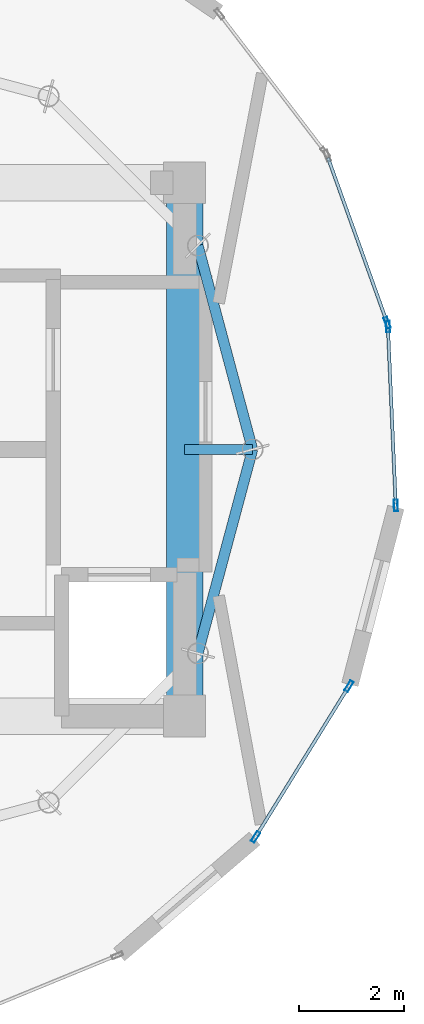
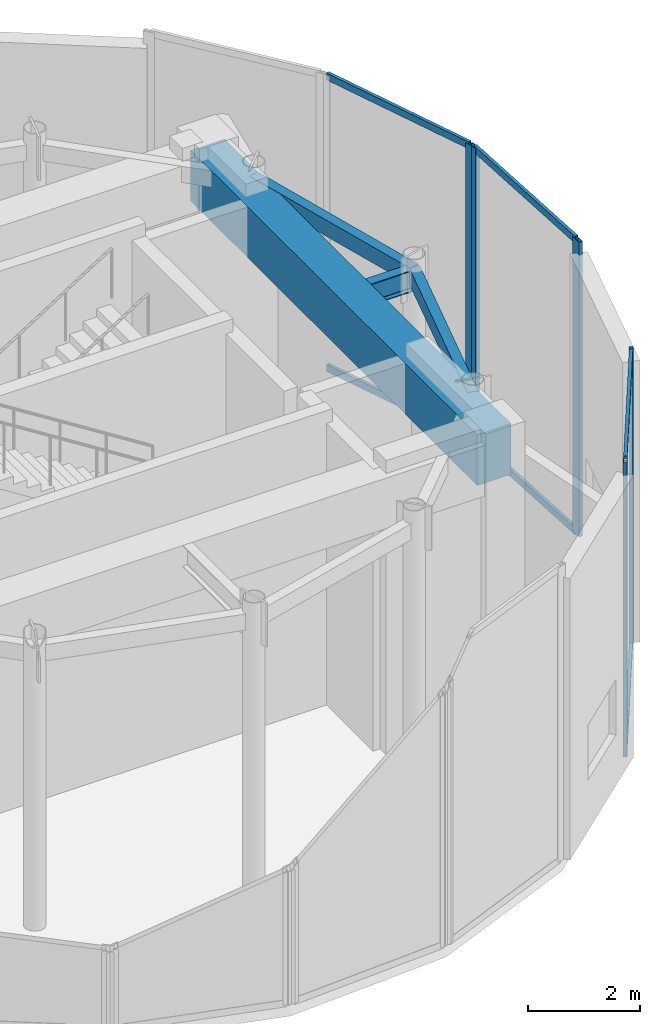
# One storey, part 4 of 8: 11 members, 4 beams, 3 elements without a shape of their own.
"""IFC4 building model written with IfcOpenShell, lengths in metres."""

from ifc_helpers import new_model, si_unit, direction, frame, origin, origin_2d, place, context, subcontext, project, spatial, rectangle, hollow_rectangle, i_section, extrude, source, transform, mapped, material, layer, layer_set, material_profile, profile_set, type_object, element, aggregate, save


model = new_model("IFC4")

# Units and contexts
model_context = context("Model", 3, precision=1e-05, world=origin(), true_north=direction((0.0, 1.0)))
body_context = subcontext(model_context, "Body", "Model", "MODEL_VIEW")
ifc_project = project(units=[si_unit("LENGTHUNIT", "METRE"), si_unit("AREAUNIT", "SQUARE_METRE"), si_unit("VOLUMEUNIT", "CUBIC_METRE"), si_unit("PLANEANGLEUNIT", "RADIAN"), si_unit("MASSUNIT", "GRAM", prefix="KILO")], contexts=[model_context])

# Site, building, storey
site_placement = place(None, origin())
site = spatial("IfcSite", under=ifc_project, at=site_placement, CompositionType="ELEMENT")
building_placement = place(site_placement, origin())
building = spatial("IfcBuilding", under=site, at=building_placement, Name="Solvirekh Grand Hotel", CompositionType="ELEMENT")
storey_placement = place(building_placement, frame((0.0, 0.0, 321.0)))
storey = spatial("IfcBuildingStorey", under=building, at=storey_placement, Name="L81", CompositionType="ELEMENT", Elevation=321.0)

# Beams
ifc_material_1 = material(Name="Concrete C60/75", Category="concrete")
ifc_material_profile_1 = material_profile(ifc_material_1, rectangle(XDim=0.699951171875, YDim=1.10009765625, at=origin_2d()), Name="RC BEAM 700X1100")
ifc_profile_set_1 = profile_set([ifc_material_profile_1], Name="Concrete C60/75")
beam_type_1 = type_object("IfcBeamType", Name="Beam_Core_RC1100", PredefinedType="BEAM", material=ifc_profile_set_1)
beam_1_placement = place(storey_placement, frame((6.5, -5.10009765625, 5.570068359375), z_axis=(0.0, 1.0, 0.0), x_axis=(-1.0, 0.0, 0.0)))
element("IfcBeam", 1, at=beam_1_placement, inside=storey, type_object=beam_type_1, Name="L81 core coupling ring beam 2", PredefinedType="BEAM", context=body_context, shape_type="SweptSolid", body=[
    extrude(rectangle(XDim=0.699951171875, YDim=1.10009765625, at=origin_2d()), origin(), (0.0, 0.0, 1.0), 10.2001953125),
])
ifc_material_2 = material(Name="Steel S355", Category="steel")
ifc_material_profile_2 = material_profile(ifc_material_2, i_section(OverallWidth=0.194091796875, OverallDepth=0.468994140625, WebThickness=0.010986328125, FlangeThickness=0.01904296875, FilletRadius=0.012939453125, at=origin_2d()), Name="W460X106")
ifc_profile_set_2 = profile_set([ifc_material_profile_2], Name="Steel S355")
beam_type_2 = type_object("IfcBeamType", Name="Beam_Radial_W460H", PredefinedType="BEAM", material=ifc_profile_set_2)
beam_2_placement = place(storey_placement, frame((6.5, 0.0, 5.885009765625), z_axis=(1.0, 0.0, 0.0), x_axis=(0.0, 1.0, 0.0)))
element("IfcBeam", 2, at=beam_2_placement, inside=storey, type_object=beam_type_2, Name="L81 radial floor beam R01", PredefinedType="BEAM", context=body_context, shape_type="SweptSolid", body=[
    extrude(i_section(OverallWidth=0.194091796875, OverallDepth=0.468994140625, WebThickness=0.010986328125, FlangeThickness=0.01904296875, FilletRadius=0.012939453125, at=origin_2d()), origin(), (0.0, 0.0, 1.0), 1.300048828125),
])
ifc_material_profile_3 = material_profile(ifc_material_2, hollow_rectangle(XDim=0.199951171875, YDim=0.35009765625, WallThickness=0.013916015625, at=origin_2d()), Name="RHS 350X200X14")
ifc_profile_set_3 = profile_set([ifc_material_profile_3], Name="Steel S355")
beam_type_3 = type_object("IfcBeamType", Name="Spandrel_Crown_RHS350", PredefinedType="SPANDREL", material=ifc_profile_set_3)
for number, where, z_axis, x_axis, name in (
    (3, (7.800048828125, 0.0, 5.945068359375), (-0.258863027773, 0.965914040095, 0.0), (-0.965914040095, -0.258863027773, 0.0), "L81 perimeter spandrel beam 1"),
    (4, (6.7548828125, -3.89990234375, 5.945068359375), (0.258863027773, 0.965914040095, 0.0), (-0.965914040095, 0.258863027773, 0.0), "L81 perimeter spandrel beam 12"),
):
    element("IfcBeam", number, at=place(storey_placement, frame(where, z_axis=z_axis, x_axis=x_axis)), inside=storey, type_object=beam_type_3, Name=name, PredefinedType="SPANDREL", context=body_context, shape_type="SweptSolid", body=[
        extrude(hollow_rectangle(XDim=0.199951171875, YDim=0.35009765625, WallThickness=0.013916015625, at=origin_2d()), origin(), (0.0, 0.0, 1.0), 4.03759765625),
    ])

# Curtain wall, members
ifc_material_3 = material(Name="Anodized Bronze Aluminium 6063-T6", Category="aluminium")
ifc_layer = layer(ifc_material_3, 0.219970703125)
ifc_layer_set = layer_set([ifc_layer], Name="Anodized Bronze Aluminium 6063-T6")
curtain_wall_type = type_object("IfcCurtainWallType", Name="CW_Sys6_CrownFacetedPointCW", PredefinedType="NOTDEFINED", material=ifc_layer_set)
curtain_wall_1_placement = place(storey_placement, origin())
curtain_wall_1 = element("IfcCurtainWall", 5, at=curtain_wall_1_placement, inside=storey, type_object=curtain_wall_type, Name="L81 unitised bronze-glass curtain wall CW-L81-C04", PredefinedType="NOTDEFINED")
ifc_material_profile_4 = material_profile(ifc_material_3, hollow_rectangle(XDim=0.074951171875, YDim=0.219970703125, WallThickness=0.006103515625, at=origin_2d()), Name="ALU RHS 220X75X6")
ifc_profile_set_4 = profile_set([ifc_material_profile_4], Name="Anodized Bronze Aluminium 6063-T6")
member_type_1 = type_object("IfcMemberType", Name="CWMullion_Sys6", PredefinedType="MULLION", material=ifc_profile_set_4)
shared_shape_1 = source(origin(), body_context, "Body", "SweptSolid", [
    extrude(hollow_rectangle(XDim=0.074951171875, YDim=0.219970703125, WallThickness=0.006103515625, at=origin_2d()), origin(), (0.0, 0.0, 1.0), 6.39990234375),
])
member_1_placement = place(storey_placement, frame((7.859619140625, -7.412109375, 0.0), z_axis=(0.0, 0.0, 1.0), x_axis=(-0.850388074808, 0.52615598659, 0.0)))
member_1 = element("IfcMember", 6, at=member_1_placement, type_object=member_type_1, Name="U06 mullion 1", PredefinedType="MULLION", context=body_context, shape_type="MappedRepresentation", body=[
    mapped(shared_shape_1, transform((0.0, 0.0, 0.0), x_axis=(1.0, 0.0, 0.0), y_axis=(0.0, 1.0, 0.0), z_axis=(0.0, 0.0, 1.0), scale=1.0)),
])
member_2_placement = place(storey_placement, frame((9.644287109375, -4.52783203125, 0.0), z_axis=(0.0, 0.0, 1.0), x_axis=(-0.850388074808, 0.52615598659, 0.0)))
member_2 = element("IfcMember", 7, at=member_2_placement, type_object=member_type_1, Name="U06 mullion 2", PredefinedType="MULLION", context=body_context, shape_type="MappedRepresentation", body=[
    mapped(shared_shape_1, transform((0.0, 0.0, 0.0), x_axis=(1.0, 0.0, 0.0), y_axis=(0.0, 1.0, 0.0), z_axis=(0.0, 0.0, 1.0), scale=1.0)),
])

curtain_wall_2_placement = place(storey_placement, origin())
curtain_wall_2 = element("IfcCurtainWall", 8, at=curtain_wall_2_placement, inside=storey, type_object=curtain_wall_type, Name="L81 unitised bronze-glass curtain wall CW-L81-C06", PredefinedType="NOTDEFINED")
member_3_placement = place(storey_placement, frame((10.540283203125, -1.070556640625, 0.0), z_axis=(0.0, 0.0, 1.0), x_axis=(-0.99903119333, -0.044007666982, 0.0)))
member_3 = element("IfcMember", 9, at=member_3_placement, type_object=member_type_1, Name="U06 mullion 1", PredefinedType="MULLION", context=body_context, shape_type="MappedRepresentation", body=[
    mapped(shared_shape_1, transform((0.0, 0.0, 0.0), x_axis=(1.0, 0.0, 0.0), y_axis=(0.0, 1.0, 0.0), z_axis=(0.0, 0.0, 1.0), scale=1.0)),
])
member_4_placement = place(storey_placement, frame((10.3896484375, 2.3505859375, 0.0), z_axis=(0.0, 0.0, 1.0), x_axis=(-0.99903119333, -0.044007666982, 0.0)))
member_4 = element("IfcMember", 10, at=member_4_placement, type_object=member_type_1, Name="U06 mullion 2", PredefinedType="MULLION", context=body_context, shape_type="MappedRepresentation", body=[
    mapped(shared_shape_1, transform((0.0, 0.0, 0.0), x_axis=(1.0, 0.0, 0.0), y_axis=(0.0, 1.0, 0.0), z_axis=(0.0, 0.0, 1.0), scale=1.0)),
])

# Curtain wall, member
curtain_wall_3_placement = place(storey_placement, origin())
curtain_wall_3 = element("IfcCurtainWall", 11, at=curtain_wall_3_placement, inside=storey, type_object=curtain_wall_type, Name="L81 unitised bronze-glass curtain wall CW-L81-C07", PredefinedType="NOTDEFINED")
member_5_placement = place(storey_placement, frame((10.375244140625, 2.42333984375, 0.0), z_axis=(0.0, 0.0, 1.0), x_axis=(-0.941225242691, -0.337779576826, 0.0)))
member_5 = element("IfcMember", 12, at=member_5_placement, type_object=member_type_1, Name="U06 mullion 1", PredefinedType="MULLION", context=body_context, shape_type="MappedRepresentation", body=[
    mapped(shared_shape_1, transform((0.0, 0.0, 0.0), x_axis=(1.0, 0.0, 0.0), y_axis=(0.0, 1.0, 0.0), z_axis=(0.0, 0.0, 1.0), scale=1.0)),
])

# Member
ifc_material_profile_5 = material_profile(ifc_material_3, hollow_rectangle(XDim=0.06494140625, YDim=0.14990234375, WallThickness=0.0048828125, at=origin_2d()), Name="ALU RHS 150X65X5")
ifc_profile_set_5 = profile_set([ifc_material_profile_5], Name="Anodized Bronze Aluminium 6063-T6")
member_type_2 = type_object("IfcMemberType", Name="CWTransom_Sys6", PredefinedType="USERDEFINED", material=ifc_profile_set_5)
shared_shape_2 = source(origin(), body_context, "Body", "SweptSolid", [
    extrude(hollow_rectangle(XDim=0.06494140625, YDim=0.14990234375, WallThickness=0.0048828125, at=origin_2d()), origin(), (0.0, 0.0, 1.0), 3.316650390625),
])
member_6_placement = place(storey_placement, frame((7.87939453125, -7.380126953125, 0.032470703125), z_axis=(0.526182278108, 0.850371807038, 0.0), x_axis=(-0.850371807038, 0.526182278108, 0.0)))
member_6 = element("IfcMember", 13, at=member_6_placement, type_object=member_type_2, Name="U06 transom 1.1", ObjectType="TRANSOM", PredefinedType="USERDEFINED", context=body_context, shape_type="MappedRepresentation", body=[
    mapped(shared_shape_2, transform((0.0, 0.0, 0.0), x_axis=(1.0, 0.0, 0.0), y_axis=(0.0, 1.0, 0.0), z_axis=(0.0, 0.0, 1.0), scale=1.0)),
])

member_7_placement = place(storey_placement, frame((7.87939453125, -7.380126953125, 6.367431640625), z_axis=(0.526182278108, 0.850371807038, 0.0), x_axis=(-0.850371807038, 0.526182278108, 0.0)))
member_7 = element("IfcMember", 14, at=member_7_placement, type_object=member_type_2, Name="U06 transom 1.2", ObjectType="TRANSOM", PredefinedType="USERDEFINED", context=body_context, shape_type="MappedRepresentation", body=[
    mapped(shared_shape_2, transform((0.0, 0.0, 0.0), x_axis=(1.0, 0.0, 0.0), y_axis=(0.0, 1.0, 0.0), z_axis=(0.0, 0.0, 1.0), scale=1.0)),
])

aggregate(curtain_wall_1, [member_1, member_2, member_6, member_7])

member_8_placement = place(storey_placement, frame((10.362548828125, 2.45849609375, 0.032470703125), z_axis=(-0.337720960099, 0.941246276545, 0.0), x_axis=(-0.941246276545, -0.337720960099, 0.0)))
member_8 = element("IfcMember", 15, at=member_8_placement, type_object=member_type_2, Name="U06 transom 1.1", ObjectType="TRANSOM", PredefinedType="USERDEFINED", context=body_context, shape_type="MappedRepresentation", body=[
    mapped(shared_shape_2, transform((0.0, 0.0, 0.0), x_axis=(1.0, 0.0, 0.0), y_axis=(0.0, 1.0, 0.0), z_axis=(0.0, 0.0, 1.0), scale=1.0)),
])

member_9_placement = place(storey_placement, frame((10.362548828125, 2.45849609375, 6.367431640625), z_axis=(-0.337720960099, 0.941246276545, 0.0), x_axis=(-0.941246276545, -0.337720960099, 0.0)))
member_9 = element("IfcMember", 16, at=member_9_placement, type_object=member_type_2, Name="U06 transom 1.2", ObjectType="TRANSOM", PredefinedType="USERDEFINED", context=body_context, shape_type="MappedRepresentation", body=[
    mapped(shared_shape_2, transform((0.0, 0.0, 0.0), x_axis=(1.0, 0.0, 0.0), y_axis=(0.0, 1.0, 0.0), z_axis=(0.0, 0.0, 1.0), scale=1.0)),
])

aggregate(curtain_wall_3, [member_5, member_8, member_9])

shared_shape_3 = source(origin(), body_context, "Body", "SweptSolid", [
    extrude(hollow_rectangle(XDim=0.06494140625, YDim=0.14990234375, WallThickness=0.0048828125, at=origin_2d()), origin(), (0.0, 0.0, 1.0), 3.34912109375),
])
member_10_placement = place(storey_placement, frame((10.538818359375, -1.032958984375, 0.032470703125), z_axis=(-0.044028769003, 0.999030263556, 0.0), x_axis=(-0.999030263556, -0.044028769003, 0.0)))
member_10 = element("IfcMember", 17, at=member_10_placement, type_object=member_type_2, Name="U06 transom 1.1", ObjectType="TRANSOM", PredefinedType="USERDEFINED", context=body_context, shape_type="MappedRepresentation", body=[
    mapped(shared_shape_3, transform((0.0, 0.0, 0.0), x_axis=(1.0, 0.0, 0.0), y_axis=(0.0, 1.0, 0.0), z_axis=(0.0, 0.0, 1.0), scale=1.0)),
])

member_11_placement = place(storey_placement, frame((10.538818359375, -1.032958984375, 6.367431640625), z_axis=(-0.044028769003, 0.999030263556, 0.0), x_axis=(-0.999030263556, -0.044028769003, 0.0)))
member_11 = element("IfcMember", 18, at=member_11_placement, type_object=member_type_2, Name="U06 transom 1.2", ObjectType="TRANSOM", PredefinedType="USERDEFINED", context=body_context, shape_type="MappedRepresentation", body=[
    mapped(shared_shape_3, transform((0.0, 0.0, 0.0), x_axis=(1.0, 0.0, 0.0), y_axis=(0.0, 1.0, 0.0), z_axis=(0.0, 0.0, 1.0), scale=1.0)),
])

aggregate(curtain_wall_2, [member_3, member_4, member_10, member_11])

save(model, "model.ifc")
